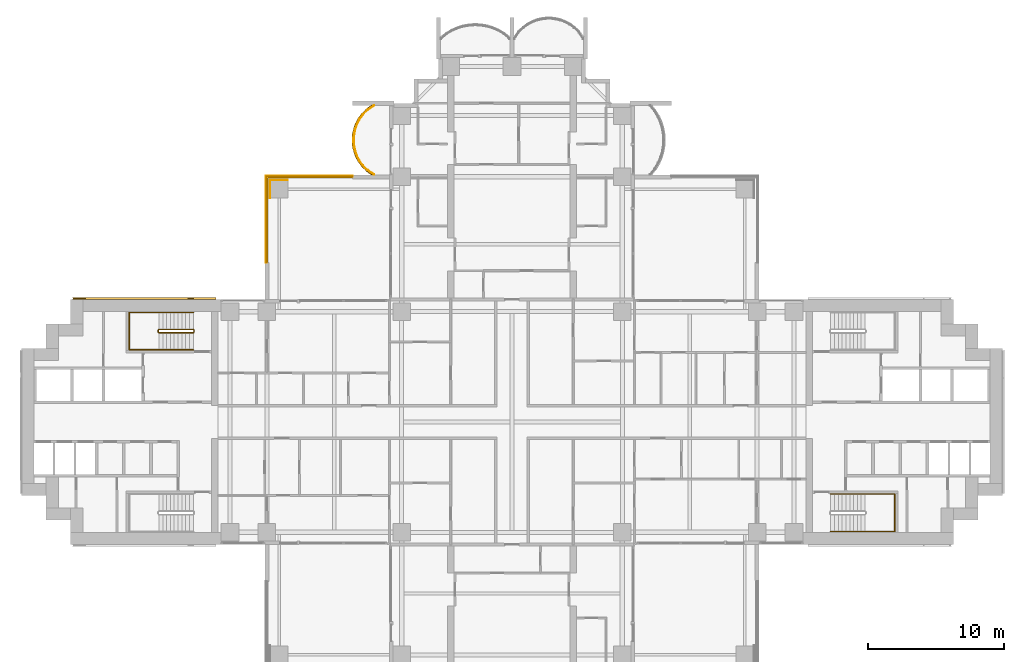
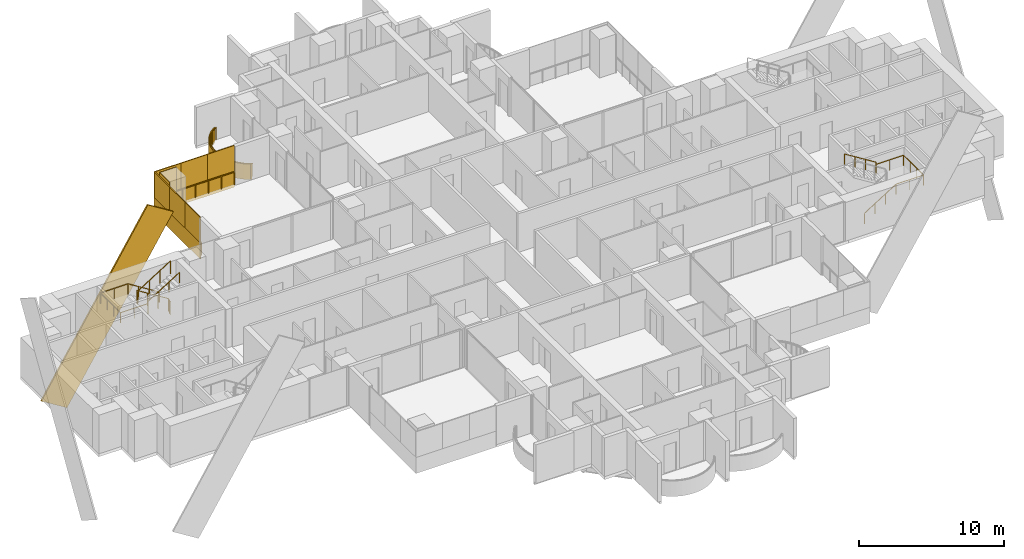
# One storey, part 21 of 23: 11 coverings, 5 railings.
"""IFC4 building model written with IfcOpenShell, lengths in metres."""

from ifc_helpers import new_model, si_unit, direction, frame, origin, origin_2d, place, context, subcontext, project, spatial, polyline, rectangle, outline, extrude, material, layer, layer_set, material_profile, profile_set, type_object, element, save


model = new_model("IFC4")

# Units and contexts
model_context = context("Model", 3, precision=1e-05, world=origin(), true_north=direction((0.0, 1.0)))
body_context = subcontext(model_context, "Body", "Model", "MODEL_VIEW")
ifc_project = project(units=[si_unit("LENGTHUNIT", "METRE"), si_unit("AREAUNIT", "SQUARE_METRE"), si_unit("VOLUMEUNIT", "CUBIC_METRE"), si_unit("PLANEANGLEUNIT", "RADIAN"), si_unit("MASSUNIT", "GRAM", prefix="KILO")], contexts=[model_context])

# Site, building, storey
site_placement = place(None, origin())
site = spatial("IfcSite", under=ifc_project, at=site_placement, CompositionType="ELEMENT")
building_placement = place(site_placement, origin())
building = spatial("IfcBuilding", under=site, at=building_placement, Name="Perihelion Cross Residences", CompositionType="ELEMENT")
storey_placement = place(building_placement, frame((0.0, 0.0, 85.5)))
storey = spatial("IfcBuildingStorey", under=building, at=storey_placement, Name="L19", CompositionType="ELEMENT", Elevation=85.5)

# Covering
ifc_material_1 = material(Name="Bronze anodised aluminium", Category="aluminium")
ifc_layer_1 = layer(ifc_material_1, 0.070068359375)
ifc_layer_set_1 = layer_set([ifc_layer_1], Name="Balcony fascia 1300")
covering_type_1 = type_object("IfcCoveringType", Name="Balcony fascia 1300", PredefinedType="CLADDING", material=ifc_layer_set_1)
covering_1_placement = place(storey_placement, frame((0.0, 0.0, -0.199951171875)))
element("IfcCovering", 1, at=covering_1_placement, inside=storey, type_object=covering_type_1, Name="Fascia BF1 L19 north side west bay 1", PredefinedType="CLADDING", context=body_context, shape_type="SweptSolid", body=[
    extrude(outline(polyline([(-10.722412109375, 22.963134765625), (-11.060791015625, 22.61474609375), (-11.308837890625, 22.2666015625), (-11.4912109375, 21.91845703125), (-11.620361328125, 21.5703125), (-11.703369140625, 21.22216796875), (-11.743896484375, 20.8740234375), (-11.743896484375, 20.52587890625), (-11.703369140625, 20.177734375), (-11.620361328125, 19.82958984375), (-11.4912109375, 19.4814453125), (-11.308837890625, 19.13330078125), (-11.060791015625, 18.78515625), (-10.722412109375, 18.43701171875), (-10.320556640625, 18.14990234375), (-10.199951171875, 18.14990234375), (-10.6767578125, 18.489990234375), (-11.007080078125, 18.830078125), (-11.2490234375, 19.169921875), (-11.42724609375, 19.510009765625), (-11.553466796875, 19.85009765625), (-11.63427734375, 20.18994140625), (-11.674072265625, 20.530029296875), (-11.674072265625, 20.8701171875), (-11.63427734375, 21.2099609375), (-11.553466796875, 21.550048828125), (-11.42724609375, 21.889892578125), (-11.2490234375, 22.22998046875), (-11.007080078125, 22.570068359375), (-10.6767578125, 22.909912109375), (-10.199951171875, 23.25), (-10.320556640625, 23.25), (-10.722412109375, 22.963134765625)])), origin(), (0.0, 0.0, 1.0), 1.300048828125),
])

# Railings
ifc_material_2 = material(Name="Bronze anodised aluminium", Category="aluminium")
railing_type_1 = type_object("IfcRailingType", Name="Balcony guard 1100", PredefinedType="GUARDRAIL", material=ifc_material_2)
railing_1_placement = place(storey_placement, frame((-10.139892578125, 23.22509765625, 0.0)))
element("IfcRailing", 2, at=railing_1_placement, inside=storey, type_object=railing_type_1, Name="Guard GU1 L19 north side west bay 1 balcony", PredefinedType="GUARDRAIL", context=body_context, shape_type="SweptSolid", body=[
    extrude(rectangle(XDim=0.048095703125, YDim=0.048095703125, at=origin_2d()), frame((0.0, 0.0, 1.076171875), z_axis=(-0.834212513801, -0.55144309028, 0.0), x_axis=(0.55144309028, -0.834212513801, 0.0)), (0.0, 0.0, 1.0), 0.571533203125),
    extrude(rectangle(XDim=0.048095703125, YDim=0.048095703125, at=origin_2d()), frame((-0.476806640625, -0.315185546875, 1.076171875), z_axis=(-0.696990112603, -0.717080736691, 0.0), x_axis=(0.717080736691, -0.696990112603, 0.0)), (0.0, 0.0, 1.0), 0.473876953125),
    extrude(rectangle(XDim=0.048095703125, YDim=0.048095703125, at=origin_2d()), frame((-0.80712890625, -0.655029296875, 1.076171875), z_axis=(-0.580075995532, -0.814562360662, 0.0), x_axis=(0.814562360662, -0.580075995532, 0.0)), (0.0, 0.0, 1.0), 0.41748046875),
    extrude(rectangle(XDim=0.048095703125, YDim=0.048095703125, at=origin_2d()), frame((-1.04931640625, -0.9951171875, 1.076171875), z_axis=(-0.463674228502, -0.886005761733, 0.0), x_axis=(0.886005761733, -0.463674228502, 0.0)), (0.0, 0.0, 1.0), 0.3837890625),
    extrude(rectangle(XDim=0.048095703125, YDim=0.048095703125, at=origin_2d()), frame((-1.227294921875, -1.335205078125, 1.076171875), z_axis=(-0.348169621027, -0.937431552165, 0.0), x_axis=(0.937431552165, -0.348169621027, 0.0)), (0.0, 0.0, 1.0), 0.362548828125),
    extrude(rectangle(XDim=0.048095703125, YDim=0.048095703125, at=origin_2d()), frame((-1.353515625, -1.675048828125, 1.076171875), z_axis=(-0.231840805498, -0.972753741142, 0.0), x_axis=(0.972753741142, -0.231840805498, 0.0)), (0.0, 0.0, 1.0), 0.349609375),
    extrude(rectangle(XDim=0.048095703125, YDim=0.048095703125, at=origin_2d()), frame((-1.4345703125, -2.01513671875, 1.076171875), z_axis=(-0.11559909788, -0.993295952156, 0.0), x_axis=(0.993295952156, -0.11559909788, 0.0)), (0.0, 0.0, 1.0), 0.342041015625),
    extrude(rectangle(XDim=0.048095703125, YDim=0.048095703125, at=origin_2d()), frame((-1.47412109375, -2.35498046875, 1.076171875), z_axis=(0.0, -1.0, 0.0), x_axis=(1.0, 0.0, 0.0)), (0.0, 0.0, 1.0), 0.340087890625),
    extrude(rectangle(XDim=0.048095703125, YDim=0.048095703125, at=origin_2d()), frame((-1.47412109375, -2.695068359375, 1.076171875), z_axis=(0.11551721994, -0.993305477634, 0.0), x_axis=(0.993305477634, 0.11551721994, 0.0)), (0.0, 0.0, 1.0), 0.34228515625),
    extrude(rectangle(XDim=0.048095703125, YDim=0.048095703125, at=origin_2d()), frame((-1.4345703125, -3.03515625, 1.076171875), z_axis=(0.231998396458, -0.972716168284, 0.0), x_axis=(0.972716168284, 0.231998396458, 0.0)), (0.0, 0.0, 1.0), 0.349365234375),
    extrude(rectangle(XDim=0.048095703125, YDim=0.048095703125, at=origin_2d()), frame((-1.353515625, -3.375, 1.076171875), z_axis=(0.347949948587, -0.93751311099, 0.0), x_axis=(0.93751311099, 0.347949948587, 0.0)), (0.0, 0.0, 1.0), 0.36279296875),
    extrude(rectangle(XDim=0.048095703125, YDim=0.048095703125, at=origin_2d()), frame((-1.227294921875, -3.715087890625, 1.076171875), z_axis=(0.463674228502, -0.886005761733, 0.0), x_axis=(0.886005761733, 0.463674228502, 0.0)), (0.0, 0.0, 1.0), 0.3837890625),
    extrude(rectangle(XDim=0.048095703125, YDim=0.048095703125, at=origin_2d()), frame((-1.04931640625, -4.05517578125, 1.076171875), z_axis=(0.580352394782, -0.814365457194, 0.0), x_axis=(0.814365457194, 0.580352394782, 0.0)), (0.0, 0.0, 1.0), 0.417236328125),
    extrude(rectangle(XDim=0.048095703125, YDim=0.048095703125, at=origin_2d()), frame((-0.80712890625, -4.39501953125, 1.076171875), z_axis=(0.69673269466, -0.717330852669, 0.0), x_axis=(0.717330852669, 0.69673269466, 0.0)), (0.0, 0.0, 1.0), 0.47412109375),
    extrude(rectangle(XDim=0.048095703125, YDim=0.048095703125, at=origin_2d()), frame((-0.476806640625, -4.735107421875, 1.076171875), z_axis=(0.834409002258, -0.551145731138, 0.0), x_axis=(0.551145731138, 0.834409002258, 0.0)), (0.0, 0.0, 1.0), 0.571533203125),
    extrude(rectangle(XDim=0.0419921875, YDim=0.0419921875, at=origin_2d()), origin(), (0.0, 0.0, 1.0), 1.052001953125),
    extrude(rectangle(XDim=0.0419921875, YDim=0.0419921875, at=origin_2d()), frame((-0.476806640625, -0.315185546875, 0.0)), (0.0, 0.0, 1.0), 1.052001953125),
    extrude(rectangle(XDim=0.0419921875, YDim=0.0419921875, at=origin_2d()), frame((-0.80712890625, -0.655029296875, 0.0)), (0.0, 0.0, 1.0), 1.052001953125),
    extrude(rectangle(XDim=0.0419921875, YDim=0.0419921875, at=origin_2d()), frame((-1.04931640625, -0.9951171875, 0.0)), (0.0, 0.0, 1.0), 1.052001953125),
    extrude(rectangle(XDim=0.0419921875, YDim=0.0419921875, at=origin_2d()), frame((-1.227294921875, -1.335205078125, 0.0)), (0.0, 0.0, 1.0), 1.052001953125),
    extrude(rectangle(XDim=0.0419921875, YDim=0.0419921875, at=origin_2d()), frame((-1.353515625, -1.675048828125, 0.0)), (0.0, 0.0, 1.0), 1.052001953125),
    extrude(rectangle(XDim=0.0419921875, YDim=0.0419921875, at=origin_2d()), frame((-1.4345703125, -2.01513671875, 0.0)), (0.0, 0.0, 1.0), 1.052001953125),
    extrude(rectangle(XDim=0.0419921875, YDim=0.0419921875, at=origin_2d()), frame((-1.47412109375, -2.35498046875, 0.0)), (0.0, 0.0, 1.0), 1.052001953125),
    extrude(rectangle(XDim=0.0419921875, YDim=0.0419921875, at=origin_2d()), frame((-1.47412109375, -2.695068359375, 0.0)), (0.0, 0.0, 1.0), 1.052001953125),
    extrude(rectangle(XDim=0.0419921875, YDim=0.0419921875, at=origin_2d()), frame((-1.4345703125, -3.03515625, 0.0)), (0.0, 0.0, 1.0), 1.052001953125),
    extrude(rectangle(XDim=0.0419921875, YDim=0.0419921875, at=origin_2d()), frame((-1.353515625, -3.375, 0.0)), (0.0, 0.0, 1.0), 1.052001953125),
    extrude(rectangle(XDim=0.0419921875, YDim=0.0419921875, at=origin_2d()), frame((-1.227294921875, -3.715087890625, 0.0)), (0.0, 0.0, 1.0), 1.052001953125),
    extrude(rectangle(XDim=0.0419921875, YDim=0.0419921875, at=origin_2d()), frame((-1.04931640625, -4.05517578125, 0.0)), (0.0, 0.0, 1.0), 1.052001953125),
    extrude(rectangle(XDim=0.0419921875, YDim=0.0419921875, at=origin_2d()), frame((-0.80712890625, -4.39501953125, 0.0)), (0.0, 0.0, 1.0), 1.052001953125),
    extrude(rectangle(XDim=0.0419921875, YDim=0.0419921875, at=origin_2d()), frame((-0.476806640625, -4.735107421875, 0.0)), (0.0, 0.0, 1.0), 1.052001953125),
    extrude(rectangle(XDim=0.0419921875, YDim=0.0419921875, at=origin_2d()), frame((0.0, -5.050048828125, 0.0)), (0.0, 0.0, 1.0), 1.052001953125),
])
railing_2_placement = place(storey_placement, frame((-17.93994140625, 11.739990234375, 0.0)))
element("IfcRailing", 3, at=railing_2_placement, inside=storey, type_object=railing_type_1, Name="Guard GU1 L19 pocket north-west 1", PredefinedType="GUARDRAIL", context=body_context, shape_type="SweptSolid", body=[
    extrude(rectangle(XDim=0.048095703125, YDim=0.048095703125, at=origin_2d()), frame((0.0, 0.0, 1.076171875), z_axis=(0.0, 1.0, 0.0), x_axis=(-1.0, 0.0, 0.0)), (0.0, 0.0, 1.0), 6.199951171875),
    extrude(rectangle(XDim=0.048095703125, YDim=0.048095703125, at=origin_2d()), frame((0.0, 6.199951171875, 1.076171875), z_axis=(1.0, 0.0, 0.0), x_axis=(0.0, 1.0, 0.0)), (0.0, 0.0, 1.0), 6.199951171875),
    extrude(rectangle(XDim=0.0419921875, YDim=0.0419921875, at=origin_2d()), origin(), (0.0, 0.0, 1.0), 1.052001953125),
    extrude(rectangle(XDim=0.0419921875, YDim=0.0419921875, at=origin_2d()), frame((0.0, 1.033203125, 0.0)), (0.0, 0.0, 1.0), 1.052001953125),
    extrude(rectangle(XDim=0.0419921875, YDim=0.0419921875, at=origin_2d()), frame((0.0, 2.066650390625, 0.0)), (0.0, 0.0, 1.0), 1.052001953125),
    extrude(rectangle(XDim=0.0419921875, YDim=0.0419921875, at=origin_2d()), frame((0.0, 3.10009765625, 0.0)), (0.0, 0.0, 1.0), 1.052001953125),
    extrude(rectangle(XDim=0.0419921875, YDim=0.0419921875, at=origin_2d()), frame((0.0, 4.13330078125, 0.0)), (0.0, 0.0, 1.0), 1.052001953125),
    extrude(rectangle(XDim=0.0419921875, YDim=0.0419921875, at=origin_2d()), frame((0.0, 5.16650390625, 0.0)), (0.0, 0.0, 1.0), 1.052001953125),
    extrude(rectangle(XDim=0.0419921875, YDim=0.0419921875, at=origin_2d()), frame((0.0, 6.199951171875, 0.0)), (0.0, 0.0, 1.0), 1.052001953125),
    extrude(rectangle(XDim=0.0419921875, YDim=0.0419921875, at=origin_2d()), frame((1.033203125, 6.199951171875, 0.0)), (0.0, 0.0, 1.0), 1.052001953125),
    extrude(rectangle(XDim=0.0419921875, YDim=0.0419921875, at=origin_2d()), frame((2.066650390625, 6.199951171875, 0.0)), (0.0, 0.0, 1.0), 1.052001953125),
    extrude(rectangle(XDim=0.0419921875, YDim=0.0419921875, at=origin_2d()), frame((3.10009765625, 6.199951171875, 0.0)), (0.0, 0.0, 1.0), 1.052001953125),
    extrude(rectangle(XDim=0.0419921875, YDim=0.0419921875, at=origin_2d()), frame((4.13330078125, 6.199951171875, 0.0)), (0.0, 0.0, 1.0), 1.052001953125),
    extrude(rectangle(XDim=0.0419921875, YDim=0.0419921875, at=origin_2d()), frame((5.16650390625, 6.199951171875, 0.0)), (0.0, 0.0, 1.0), 1.052001953125),
    extrude(rectangle(XDim=0.0419921875, YDim=0.0419921875, at=origin_2d()), frame((6.199951171875, 6.199951171875, 0.0)), (0.0, 0.0, 1.0), 1.052001953125),
])

# Coverings
ifc_material_3 = material(Name="Bronze anodised aluminium", Category="aluminium")
ifc_material_profile = material_profile(ifc_material_3, rectangle(XDim=0.125, YDim=2.39990234375, at=origin_2d()), Name="Bronze cladding band 2400")
ifc_profile_set = profile_set([ifc_material_profile], Name="Bronze anodised aluminium")
covering_type_2 = type_object("IfcCoveringType", Name="Bronze cladding band 2400", PredefinedType="CLADDING", material=ifc_profile_set)
covering_2_placement = place(storey_placement, frame((-31.232421875, 9.0625, -6.24755859375), z_axis=(0.529924750763, 0.0, 0.848044667767), x_axis=(0.0, 1.0, 0.0)))
element("IfcCovering", 4, at=covering_2_placement, inside=storey, type_object=covering_type_2, Name="Core cladding band, west core", PredefinedType="CLADDING", context=body_context, shape_type="SweptSolid", body=[
    extrude(rectangle(XDim=0.125, YDim=2.39990234375, at=origin_2d()), origin(), (0.0, 0.0, 1.0), 15.9736328125),
])
ifc_material_4 = material(Name="Bronze anodised aluminium", Category="aluminium")
ifc_layer_2 = layer(ifc_material_4, 0.0400390625)
ifc_layer_set_2 = layer_set([ifc_layer_2], Name="Bronze column casing 40")
covering_type_3 = type_object("IfcCoveringType", Name="Bronze column casing 40", PredefinedType="CLADDING", material=ifc_layer_set_2)
covering_3_placement = place(storey_placement, frame((-17.77001953125, 17.10009765625, -0.25), z_axis=(0.0, 0.0, 1.0), x_axis=(1.0, 0.0, 0.0)))
element("IfcCovering", 5, at=covering_3_placement, inside=storey, type_object=covering_type_3, Name="Cladding CC1 L19 casing east-west no. 2", PredefinedType="CLADDING", context=body_context, shape_type="SweptSolid", body=[
    extrude(rectangle(XDim=0.0400390625, YDim=1.3798828125, at=origin_2d()), origin(), (0.0, 0.0, 1.0), 3.5),
])
covering_4_placement = place(storey_placement, frame((-17.10009765625, 17.77001953125, -0.25), z_axis=(0.0, 0.0, 1.0), x_axis=(1.0, 0.0, 0.0)))
element("IfcCovering", 6, at=covering_4_placement, inside=storey, type_object=covering_type_3, Name="Cladding CC1 L19 casing north-south no. 2", PredefinedType="CLADDING", context=body_context, shape_type="SweptSolid", body=[
    extrude(rectangle(XDim=1.300048828125, YDim=0.0400390625, at=origin_2d()), origin(), (0.0, 0.0, 1.0), 3.5),
])
ifc_material_5 = material(Name="Bronze anodised aluminium", Category="aluminium")
ifc_layer_3 = layer(ifc_material_5, 0.070068359375)
ifc_layer_set_3 = layer_set([ifc_layer_3], Name="Pocket fascia 1350")
covering_type_4 = type_object("IfcCoveringType", Name="Pocket fascia 1350", PredefinedType="CLADDING", material=ifc_layer_set_3)
covering_5_placement = place(storey_placement, frame((0.0, 0.0, -0.25)))
element("IfcCovering", 7, at=covering_5_placement, inside=storey, type_object=covering_type_4, Name="Fascia BF2 L19 pocket north-west 3", PredefinedType="CLADDING", context=body_context, shape_type="SweptSolid", body=[
    extrude(outline(polyline([(-18.070068359375, 18.070068359375), (-18.070068359375, 11.699951171875), (-18.0, 11.699951171875), (-18.0, 18.0), (-11.699951171875, 18.0), (-11.699951171875, 18.070068359375), (-18.070068359375, 18.070068359375)])), origin(), (0.0, 0.0, 1.0), 1.35009765625),
])
ifc_material_6 = material(Name="Bronze perforated aluminium", Category="aluminium")
ifc_layer_4 = layer(ifc_material_6, 0.070068359375)
ifc_layer_set_4 = layer_set([ifc_layer_4], Name="Pocket solar screen, bronze perforated")
covering_type_5 = type_object("IfcCoveringType", Name="Pocket solar screen, bronze perforated", PredefinedType="CLADDING", material=ifc_layer_set_4)
covering_6_placement = place(storey_placement, frame((0.0, 0.0, 1.10009765625)))
element("IfcCovering", 8, at=covering_6_placement, inside=storey, type_object=covering_type_5, Name="Solar screen PS1 L19 pocket north-west no. 1", PredefinedType="CLADDING", context=body_context, shape_type="SweptSolid", body=[
    extrude(outline(polyline([(-18.0, 11.699951171875), (-18.0, 13.800048828125), (-18.070068359375, 13.800048828125), (-18.070068359375, 11.699951171875), (-18.0, 11.699951171875)])), origin(), (0.0, 0.0, 1.0), 2.14990234375),
])
covering_7_placement = place(storey_placement, frame((0.0, 0.0, 1.10009765625)))
element("IfcCovering", 9, at=covering_7_placement, inside=storey, type_object=covering_type_5, Name="Solar screen PS1 L19 pocket north-west no. 2", PredefinedType="CLADDING", context=body_context, shape_type="SweptSolid", body=[
    extrude(outline(polyline([(-18.0, 13.800048828125), (-18.0, 15.89990234375), (-18.070068359375, 15.89990234375), (-18.070068359375, 13.800048828125), (-18.0, 13.800048828125)])), origin(), (0.0, 0.0, 1.0), 2.14990234375),
])
covering_8_placement = place(storey_placement, frame((0.0, 0.0, 1.10009765625)))
element("IfcCovering", 10, at=covering_8_placement, inside=storey, type_object=covering_type_5, Name="Solar screen PS1 L19 pocket north-west no. 3", PredefinedType="CLADDING", context=body_context, shape_type="SweptSolid", body=[
    extrude(outline(polyline([(-18.0, 15.89990234375), (-18.0, 18.0), (-18.070068359375, 18.0), (-18.070068359375, 15.89990234375), (-18.0, 15.89990234375)])), origin(), (0.0, 0.0, 1.0), 2.14990234375),
])
covering_9_placement = place(storey_placement, frame((0.0, 0.0, 1.10009765625)))
element("IfcCovering", 11, at=covering_9_placement, inside=storey, type_object=covering_type_5, Name="Solar screen PS1 L19 pocket north-west no. 4", PredefinedType="CLADDING", context=body_context, shape_type="SweptSolid", body=[
    extrude(outline(polyline([(-15.94677734375, 18.0), (-15.94677734375, 18.070068359375), (-18.070068359375, 18.070068359375), (-18.070068359375, 18.0), (-15.94677734375, 18.0)])), origin(), (0.0, 0.0, 1.0), 2.14990234375),
])
covering_10_placement = place(storey_placement, frame((0.0, 0.0, 1.10009765625)))
element("IfcCovering", 12, at=covering_10_placement, inside=storey, type_object=covering_type_5, Name="Solar screen PS1 L19 pocket north-west no. 5", PredefinedType="CLADDING", context=body_context, shape_type="SweptSolid", body=[
    extrude(outline(polyline([(-13.8232421875, 18.0), (-13.8232421875, 18.070068359375), (-15.94677734375, 18.070068359375), (-15.94677734375, 18.0), (-13.8232421875, 18.0)])), origin(), (0.0, 0.0, 1.0), 2.14990234375),
])
covering_11_placement = place(storey_placement, frame((0.0, 0.0, 1.10009765625)))
element("IfcCovering", 13, at=covering_11_placement, inside=storey, type_object=covering_type_5, Name="Solar screen PS1 L19 pocket north-west no. 6", PredefinedType="CLADDING", context=body_context, shape_type="SweptSolid", body=[
    extrude(outline(polyline([(-11.699951171875, 18.0), (-11.699951171875, 18.070068359375), (-13.8232421875, 18.070068359375), (-13.8232421875, 18.0), (-11.699951171875, 18.0)])), origin(), (0.0, 0.0, 1.0), 2.14990234375),
])

# Railings
ifc_material_7 = material(Name="Stainless steel", Category="steel")
railing_type_2 = type_object("IfcRailingType", Name="Stair guard 1100", PredefinedType="GUARDRAIL", material=ifc_material_7)
railing_3_placement = place(storey_placement, frame((-23.35009765625, 6.60009765625, 0.0)))
element("IfcRailing", 14, at=railing_3_placement, inside=storey, type_object=railing_type_2, Name="L19 ST-W1 stair guard 1", PredefinedType="GUARDRAIL", context=body_context, shape_type="SweptSolid", body=[
    extrude(rectangle(XDim=0.048095703125, YDim=0.048095703125, at=origin_2d()), frame((0.0, 0.0, 1.076171875), z_axis=(0.0, 1.0, 0.0), x_axis=(-1.0, 0.0, 0.0)), (0.0, 0.0, 1.0), 0.14990234375),
    extrude(rectangle(XDim=0.048095703125, YDim=0.048095703125, at=origin_2d()), frame((0.0, 0.14990234375, 1.076171875), z_axis=(-0.263862480399, 0.265155923931, 0.927399011991), x_axis=(-0.708833529934, -0.705375805398, 0.0)), (0.0, 0.0, 1.0), 0.188720703125),
    extrude(rectangle(XDim=0.048095703125, YDim=0.048095703125, at=origin_2d()), frame((-0.0498046875, 0.199951171875, 1.2509765625), z_axis=(-0.848007534815, 0.0, 0.529984170421), x_axis=(0.0, -1.0, 0.0)), (0.0, 0.0, 1.0), 2.9716796875),
    extrude(rectangle(XDim=0.048095703125, YDim=0.048095703125, at=origin_2d()), frame((-2.56982421875, 0.199951171875, 2.826171875), z_axis=(-0.707106781187, -0.707106781187, 0.0), x_axis=(0.707106781187, -0.707106781187, 0.0)), (0.0, 0.0, 1.0), 0.07080078125),
    extrude(rectangle(XDim=0.048095703125, YDim=0.048095703125, at=origin_2d()), frame((-2.619873046875, 0.14990234375, 2.826171875), z_axis=(0.0, -1.0, 0.0), x_axis=(1.0, 0.0, 0.0)), (0.0, 0.0, 1.0), 0.14990234375),
    extrude(rectangle(XDim=0.048095703125, YDim=0.048095703125, at=origin_2d()), frame((-2.619873046875, 0.0, 2.826171875), z_axis=(0.265065253269, -0.265065253269, 0.927081885822), x_axis=(0.707106781187, 0.707106781187, 0.0)), (0.0, 0.0, 1.0), 0.188720703125),
    extrude(rectangle(XDim=0.048095703125, YDim=0.048095703125, at=origin_2d()), frame((-2.56982421875, -0.050048828125, 3.0009765625), z_axis=(0.848007534815, 0.0, 0.529984170421), x_axis=(0.0, 1.0, 0.0)), (0.0, 0.0, 1.0), 2.9716796875),
    extrude(rectangle(XDim=0.0419921875, YDim=0.0419921875, at=origin_2d()), origin(), (0.0, 0.0, 1.0), 1.052001953125),
    extrude(rectangle(XDim=0.0419921875, YDim=0.0419921875, at=origin_2d()), frame((0.0, 0.14990234375, 0.0)), (0.0, 0.0, 1.0), 1.052001953125),
    extrude(rectangle(XDim=0.0419921875, YDim=0.0419921875, at=origin_2d()), frame((-0.0498046875, 0.199951171875, 0.175048828125)), (0.0, 0.0, 1.0), 1.052001953125),
    extrude(rectangle(XDim=0.0419921875, YDim=0.0419921875, at=origin_2d()), frame((-0.889892578125, 0.199951171875, 0.699951171875)), (0.0, 0.0, 1.0), 1.052001953125),
    extrude(rectangle(XDim=0.0419921875, YDim=0.0419921875, at=origin_2d()), frame((-1.729736328125, 0.199951171875, 1.22509765625)), (0.0, 0.0, 1.0), 1.052001953125),
    extrude(rectangle(XDim=0.0419921875, YDim=0.0419921875, at=origin_2d()), frame((-2.56982421875, 0.199951171875, 1.75)), (0.0, 0.0, 1.0), 1.052001953125),
    extrude(rectangle(XDim=0.0419921875, YDim=0.0419921875, at=origin_2d()), frame((-2.619873046875, 0.14990234375, 1.75)), (0.0, 0.0, 1.0), 1.052001953125),
    extrude(rectangle(XDim=0.0419921875, YDim=0.0419921875, at=origin_2d()), frame((-2.619873046875, 0.0, 1.75)), (0.0, 0.0, 1.0), 1.052001953125),
    extrude(rectangle(XDim=0.0419921875, YDim=0.0419921875, at=origin_2d()), frame((-2.56982421875, -0.050048828125, 1.925048828125)), (0.0, 0.0, 1.0), 1.052001953125),
    extrude(rectangle(XDim=0.0419921875, YDim=0.0419921875, at=origin_2d()), frame((-1.729736328125, -0.050048828125, 2.449951171875)), (0.0, 0.0, 1.0), 1.052001953125),
    extrude(rectangle(XDim=0.0419921875, YDim=0.0419921875, at=origin_2d()), frame((-0.889892578125, -0.050048828125, 2.97509765625)), (0.0, 0.0, 1.0), 1.052001953125),
    extrude(rectangle(XDim=0.0419921875, YDim=0.0419921875, at=origin_2d()), frame((-0.0498046875, -0.050048828125, 3.5)), (0.0, 0.0, 1.0), 1.052001953125),
])
ifc_material_8 = material(Name="Stainless steel", Category="steel")
railing_type_3 = type_object("IfcRailingType", Name="Stair handrail 900", PredefinedType="HANDRAIL", material=ifc_material_8)
railing_4_placement = place(storey_placement, frame((23.39990234375, -8.050048828125, 0.175048828125)))
element("IfcRailing", 15, at=railing_4_placement, inside=storey, type_object=railing_type_3, Name="L19 ST-E2 stair handrail 1", PredefinedType="HANDRAIL", context=body_context, shape_type="SweptSolid", body=[
    extrude(rectangle(XDim=0.048095703125, YDim=0.048095703125, at=origin_2d()), frame((0.0, 0.0, 0.8759765625), z_axis=(0.848007534815, 0.0, 0.529984170421), x_axis=(0.0, 1.0, 0.0)), (0.0, 0.0, 1.0), 2.9716796875),
    extrude(rectangle(XDim=0.048095703125, YDim=0.048095703125, at=origin_2d()), frame((2.52001953125, 0.0, 2.45068359375), z_axis=(1.0, 0.0, 0.0), x_axis=(0.0, 1.0, 0.0)), (0.0, 0.0, 1.0), 2.18017578125),
    extrude(rectangle(XDim=0.048095703125, YDim=0.048095703125, at=origin_2d()), frame((4.7001953125, 0.0, 2.45068359375), z_axis=(0.0, 1.0, 0.0), x_axis=(-1.0, 0.0, 0.0)), (0.0, 0.0, 1.0), 2.75),
    extrude(rectangle(XDim=0.048095703125, YDim=0.048095703125, at=origin_2d()), frame((4.7001953125, 2.75, 2.45068359375), z_axis=(-1.0, 0.0, 0.0), x_axis=(0.0, -1.0, 0.0)), (0.0, 0.0, 1.0), 2.18017578125),
    extrude(rectangle(XDim=0.048095703125, YDim=0.048095703125, at=origin_2d()), frame((2.52001953125, 2.75, 2.45068359375), z_axis=(0.0, 0.0, 1.0), x_axis=(1.0, 0.0, 0.0)), (0.0, 0.0, 1.0), 0.175048828125),
    extrude(rectangle(XDim=0.048095703125, YDim=0.048095703125, at=origin_2d()), frame((2.52001953125, 2.75, 2.6259765625), z_axis=(-0.848007534815, 0.0, 0.529984170421), x_axis=(0.0, -1.0, 0.0)), (0.0, 0.0, 1.0), 2.9716796875),
    extrude(rectangle(XDim=0.0419921875, YDim=0.0419921875, at=origin_2d()), origin(), (0.0, 0.0, 1.0), 0.851806640625),
    extrude(rectangle(XDim=0.0419921875, YDim=0.0419921875, at=origin_2d()), frame((0.840087890625, 0.0, 0.52490234375)), (0.0, 0.0, 1.0), 0.851806640625),
    extrude(rectangle(XDim=0.0419921875, YDim=0.0419921875, at=origin_2d()), frame((1.679931640625, 0.0, 1.050048828125)), (0.0, 0.0, 1.0), 0.851806640625),
    extrude(rectangle(XDim=0.0419921875, YDim=0.0419921875, at=origin_2d()), frame((2.52001953125, 0.0, 1.574951171875)), (0.0, 0.0, 1.0), 0.851806640625),
    extrude(rectangle(XDim=0.0419921875, YDim=0.0419921875, at=origin_2d()), frame((3.610107421875, 0.0, 1.574951171875)), (0.0, 0.0, 1.0), 0.851806640625),
    extrude(rectangle(XDim=0.0419921875, YDim=0.0419921875, at=origin_2d()), frame((4.7001953125, 0.0, 1.574951171875)), (0.0, 0.0, 1.0), 0.851806640625),
    extrude(rectangle(XDim=0.0419921875, YDim=0.0419921875, at=origin_2d()), frame((4.7001953125, 0.916748046875, 1.574951171875)), (0.0, 0.0, 1.0), 0.851806640625),
    extrude(rectangle(XDim=0.0419921875, YDim=0.0419921875, at=origin_2d()), frame((4.7001953125, 1.833251953125, 1.574951171875)), (0.0, 0.0, 1.0), 0.851806640625),
    extrude(rectangle(XDim=0.0419921875, YDim=0.0419921875, at=origin_2d()), frame((4.7001953125, 2.75, 1.574951171875)), (0.0, 0.0, 1.0), 0.851806640625),
    extrude(rectangle(XDim=0.0419921875, YDim=0.0419921875, at=origin_2d()), frame((3.610107421875, 2.75, 1.574951171875)), (0.0, 0.0, 1.0), 0.851806640625),
    extrude(rectangle(XDim=0.0419921875, YDim=0.0419921875, at=origin_2d()), frame((2.52001953125, 2.75, 1.574951171875)), (0.0, 0.0, 1.0), 0.851806640625),
    extrude(rectangle(XDim=0.0419921875, YDim=0.0419921875, at=origin_2d()), frame((2.52001953125, 2.75, 1.75)), (0.0, 0.0, 1.0), 0.851806640625),
    extrude(rectangle(XDim=0.0419921875, YDim=0.0419921875, at=origin_2d()), frame((1.679931640625, 2.75, 2.27490234375)), (0.0, 0.0, 1.0), 0.851806640625),
    extrude(rectangle(XDim=0.0419921875, YDim=0.0419921875, at=origin_2d()), frame((0.840087890625, 2.75, 2.800048828125)), (0.0, 0.0, 1.0), 0.851806640625),
    extrude(rectangle(XDim=0.0419921875, YDim=0.0419921875, at=origin_2d()), frame((0.0, 2.75, 3.324951171875)), (0.0, 0.0, 1.0), 0.851806640625),
])
railing_5_placement = place(storey_placement, frame((-23.39990234375, 8.050048828125, 0.175048828125)))
element("IfcRailing", 16, at=railing_5_placement, inside=storey, type_object=railing_type_3, Name="L19 ST-W1 stair handrail 1", PredefinedType="HANDRAIL", context=body_context, shape_type="SweptSolid", body=[
    extrude(rectangle(XDim=0.048095703125, YDim=0.048095703125, at=origin_2d()), frame((0.0, 0.0, 0.8759765625), z_axis=(-0.848007534815, 0.0, 0.529984170421), x_axis=(0.0, -1.0, 0.0)), (0.0, 0.0, 1.0), 2.9716796875),
    extrude(rectangle(XDim=0.048095703125, YDim=0.048095703125, at=origin_2d()), frame((-2.52001953125, 0.0, 2.45068359375), z_axis=(-1.0, 0.0, 0.0), x_axis=(0.0, -1.0, 0.0)), (0.0, 0.0, 1.0), 2.18017578125),
    extrude(rectangle(XDim=0.048095703125, YDim=0.048095703125, at=origin_2d()), frame((-4.7001953125, 0.0, 2.45068359375), z_axis=(0.0, -1.0, 0.0), x_axis=(1.0, 0.0, 0.0)), (0.0, 0.0, 1.0), 2.75),
    extrude(rectangle(XDim=0.048095703125, YDim=0.048095703125, at=origin_2d()), frame((-4.7001953125, -2.75, 2.45068359375), z_axis=(1.0, 0.0, 0.0), x_axis=(0.0, 1.0, 0.0)), (0.0, 0.0, 1.0), 2.18017578125),
    extrude(rectangle(XDim=0.048095703125, YDim=0.048095703125, at=origin_2d()), frame((-2.52001953125, -2.75, 2.45068359375), z_axis=(0.0, 0.0, 1.0), x_axis=(1.0, 0.0, 0.0)), (0.0, 0.0, 1.0), 0.175048828125),
    extrude(rectangle(XDim=0.048095703125, YDim=0.048095703125, at=origin_2d()), frame((-2.52001953125, -2.75, 2.6259765625), z_axis=(0.848007534815, 0.0, 0.529984170421), x_axis=(0.0, 1.0, 0.0)), (0.0, 0.0, 1.0), 2.9716796875),
    extrude(rectangle(XDim=0.0419921875, YDim=0.0419921875, at=origin_2d()), origin(), (0.0, 0.0, 1.0), 0.851806640625),
    extrude(rectangle(XDim=0.0419921875, YDim=0.0419921875, at=origin_2d()), frame((-0.840087890625, 0.0, 0.52490234375)), (0.0, 0.0, 1.0), 0.851806640625),
    extrude(rectangle(XDim=0.0419921875, YDim=0.0419921875, at=origin_2d()), frame((-1.679931640625, 0.0, 1.050048828125)), (0.0, 0.0, 1.0), 0.851806640625),
    extrude(rectangle(XDim=0.0419921875, YDim=0.0419921875, at=origin_2d()), frame((-2.52001953125, 0.0, 1.574951171875)), (0.0, 0.0, 1.0), 0.851806640625),
    extrude(rectangle(XDim=0.0419921875, YDim=0.0419921875, at=origin_2d()), frame((-3.610107421875, 0.0, 1.574951171875)), (0.0, 0.0, 1.0), 0.851806640625),
    extrude(rectangle(XDim=0.0419921875, YDim=0.0419921875, at=origin_2d()), frame((-4.7001953125, 0.0, 1.574951171875)), (0.0, 0.0, 1.0), 0.851806640625),
    extrude(rectangle(XDim=0.0419921875, YDim=0.0419921875, at=origin_2d()), frame((-4.7001953125, -0.916748046875, 1.574951171875)), (0.0, 0.0, 1.0), 0.851806640625),
    extrude(rectangle(XDim=0.0419921875, YDim=0.0419921875, at=origin_2d()), frame((-4.7001953125, -1.833251953125, 1.574951171875)), (0.0, 0.0, 1.0), 0.851806640625),
    extrude(rectangle(XDim=0.0419921875, YDim=0.0419921875, at=origin_2d()), frame((-4.7001953125, -2.75, 1.574951171875)), (0.0, 0.0, 1.0), 0.851806640625),
    extrude(rectangle(XDim=0.0419921875, YDim=0.0419921875, at=origin_2d()), frame((-3.610107421875, -2.75, 1.574951171875)), (0.0, 0.0, 1.0), 0.851806640625),
    extrude(rectangle(XDim=0.0419921875, YDim=0.0419921875, at=origin_2d()), frame((-2.52001953125, -2.75, 1.574951171875)), (0.0, 0.0, 1.0), 0.851806640625),
    extrude(rectangle(XDim=0.0419921875, YDim=0.0419921875, at=origin_2d()), frame((-2.52001953125, -2.75, 1.75)), (0.0, 0.0, 1.0), 0.851806640625),
    extrude(rectangle(XDim=0.0419921875, YDim=0.0419921875, at=origin_2d()), frame((-1.679931640625, -2.75, 2.27490234375)), (0.0, 0.0, 1.0), 0.851806640625),
    extrude(rectangle(XDim=0.0419921875, YDim=0.0419921875, at=origin_2d()), frame((-0.840087890625, -2.75, 2.800048828125)), (0.0, 0.0, 1.0), 0.851806640625),
    extrude(rectangle(XDim=0.0419921875, YDim=0.0419921875, at=origin_2d()), frame((0.0, -2.75, 3.324951171875)), (0.0, 0.0, 1.0), 0.851806640625),
])

save(model, "model.ifc")
